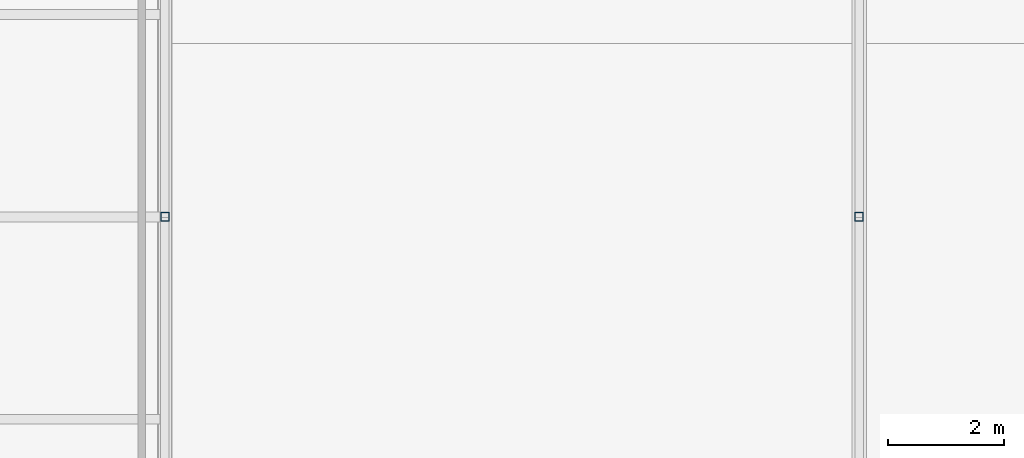
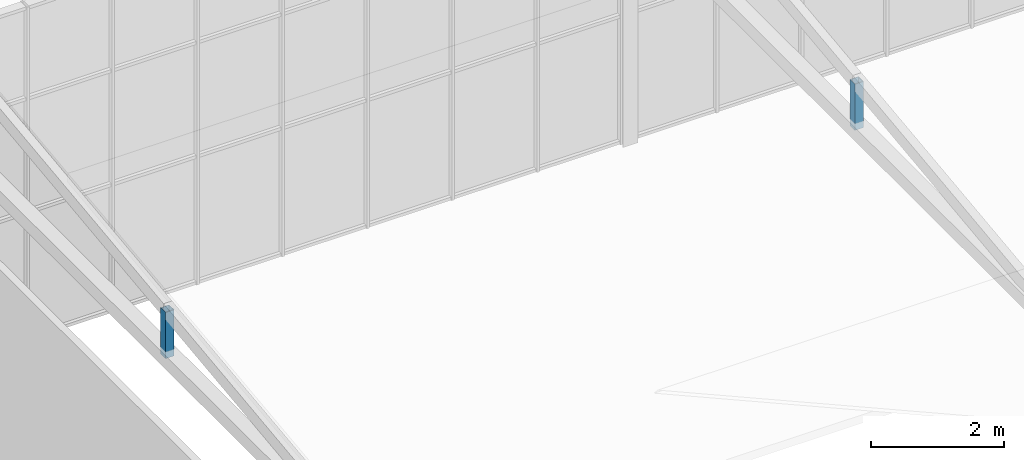
# One storey, part 82 of 104: 2 members.
"""IFC4 building model written with IfcOpenShell, lengths in metres."""

from ifc_helpers import new_model, si_unit, direction, frame, origin, origin_2d, place, context, subcontext, project, spatial, hollow_rectangle, extrude, material, material_profile, profile_set, type_object, element, save


model = new_model("IFC4")

# Units and contexts
model_context = context("Model", 3, precision=1e-05, world=origin(), true_north=direction((0.0, 1.0)))
body_context = subcontext(model_context, "Body", "Model", "MODEL_VIEW")
ifc_project = project(units=[si_unit("LENGTHUNIT", "METRE"), si_unit("AREAUNIT", "SQUARE_METRE"), si_unit("VOLUMEUNIT", "CUBIC_METRE"), si_unit("PLANEANGLEUNIT", "RADIAN"), si_unit("MASSUNIT", "GRAM", prefix="KILO")], contexts=[model_context])

# Site, building, storey
site_placement = place(None, origin())
site = spatial("IfcSite", under=ifc_project, at=site_placement, CompositionType="ELEMENT")
building_placement = place(site_placement, origin())
building = spatial("IfcBuilding", under=site, at=building_placement, Name="Solvenia Promenade Tram Depot", CompositionType="ELEMENT")
storey_placement = place(building_placement, frame((0.0, 0.0, 9.0)))
storey = spatial("IfcBuildingStorey", under=building, at=storey_placement, Name="L02", CompositionType="ELEMENT", Elevation=9.0)

# Members
ifc_material = material(Name="Structural steel ASTM A500 Gr. C", Category="steel")
ifc_material_profile = material_profile(ifc_material, hollow_rectangle(XDim=0.14990234375, YDim=0.14990234375, WallThickness=0.008056640625, at=origin_2d()), Name="HSS150x150x8", Category="steel")
ifc_profile_set = profile_set([ifc_material_profile], Name="Structural steel ASTM A500 Gr. C")
member_type = type_object("IfcMemberType", Name="Post-HSS150x150x8", PredefinedType="POST", material=ifc_profile_set)
for number, where, z_axis, x_axis, name in (
    (1, (162.0, 59.0, 4.47998046875), (0.0, 0.0, 1.0), (1.0, 0.0, 0.0), "Workshop Sawtooth Mid Post 2-08"),
    (2, (174.0, 59.0, 4.47998046875), (0.0, 0.0, 1.0), (1.0, 0.0, 0.0), "Workshop Sawtooth Mid Post 2-09"),
):
    element("IfcMember", number, at=place(storey_placement, frame(where, z_axis=z_axis, x_axis=x_axis)), inside=storey, type_object=member_type, Name=name, PredefinedType="POST", context=body_context, shape_type="SweptSolid", body=[
        extrude(hollow_rectangle(XDim=0.14990234375, YDim=0.14990234375, WallThickness=0.008056640625, at=origin_2d()), origin(), (0.0, 0.0, 1.0), 0.85009765625),
    ])

save(model, "model.ifc")
